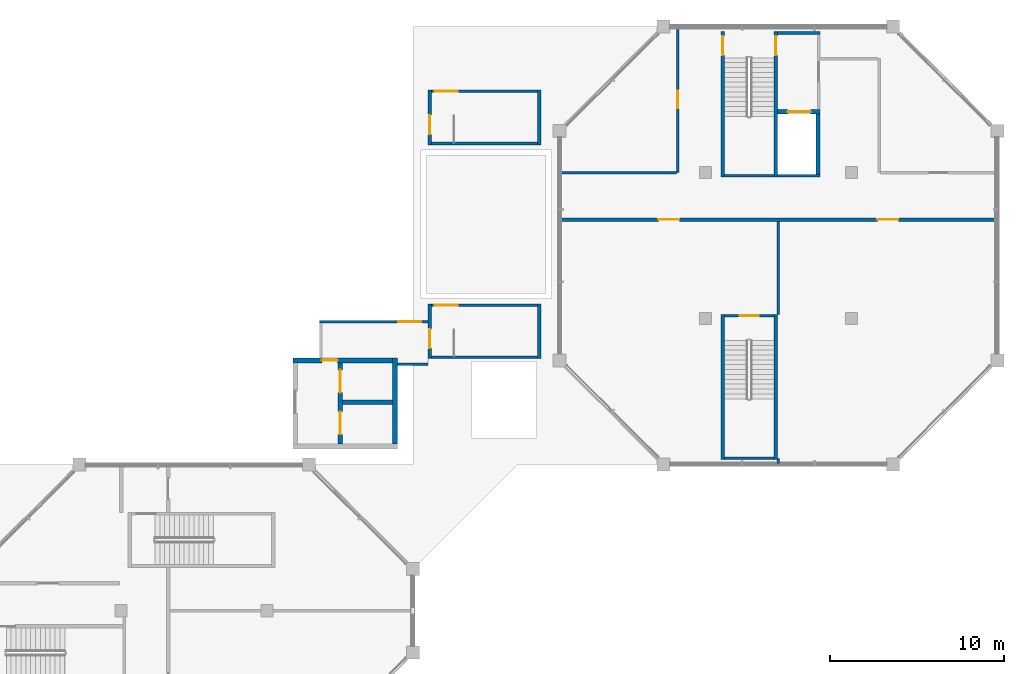
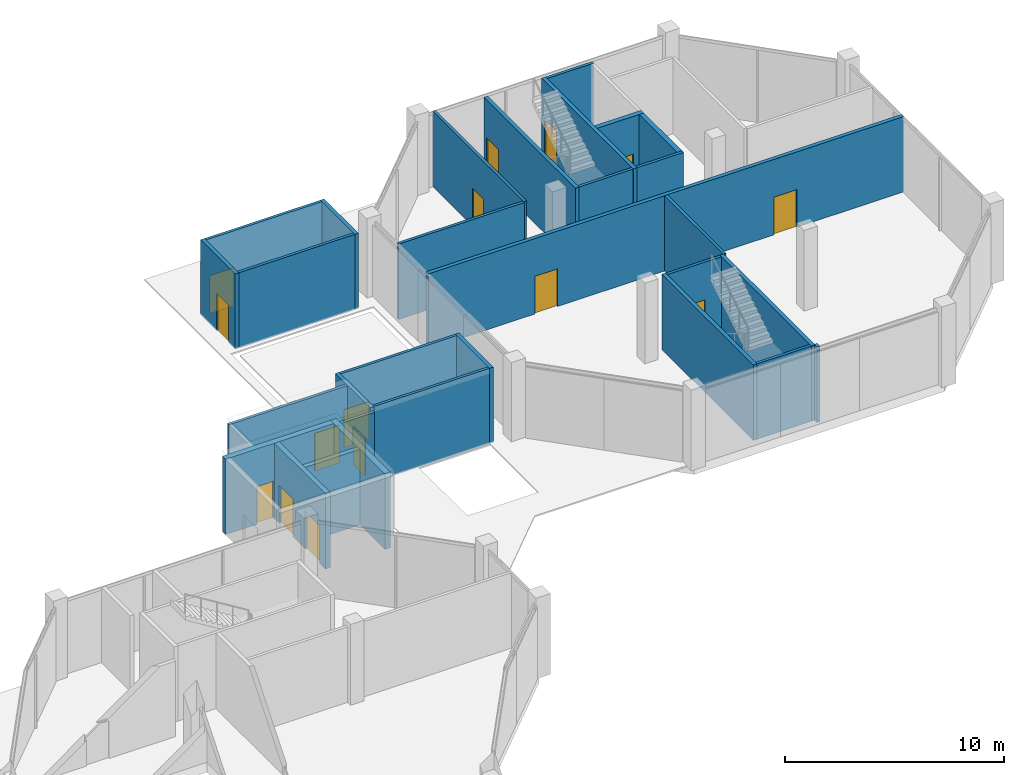
# One storey, part 6 of 10: 30 walls, 15 doors, 15 openings.
"""IFC4 building model written with IfcOpenShell, lengths in metres."""

from ifc_helpers import new_model, si_unit, direction, frame, frame_2d, origin, place, context, subcontext, project, spatial, rectangle, extrude, material, layer, layer_set, type_object, element, fill, save


model = new_model("IFC4")

# Units and contexts
model_context = context("Model", 3, precision=1e-05, world=origin(), true_north=direction((0.0, 1.0)))
body_context = subcontext(model_context, "Body", "Model", "MODEL_VIEW")
ifc_project = project(units=[si_unit("LENGTHUNIT", "METRE"), si_unit("AREAUNIT", "SQUARE_METRE"), si_unit("VOLUMEUNIT", "CUBIC_METRE"), si_unit("PLANEANGLEUNIT", "RADIAN"), si_unit("MASSUNIT", "GRAM", prefix="KILO")], contexts=[model_context])

# Site, building, storey
site_placement = place(None, origin())
site = spatial("IfcSite", under=ifc_project, at=site_placement, CompositionType="ELEMENT")
building_placement = place(site_placement, origin())
building = spatial("IfcBuilding", under=site, at=building_placement, Name="Kawkab Arch Medical Tower", CompositionType="ELEMENT")
storey_placement = place(building_placement, frame((0.0, 0.0, 336.699951171875)))
storey = spatial("IfcBuildingStorey", under=building, at=storey_placement, Name="L78", CompositionType="ELEMENT", Elevation=336.699951171875)

# Wall, opening, door
ifc_material_1 = material(Name="Concrete C60/75", Category="concrete")
ifc_layer_1 = layer(ifc_material_1, 0.25)
ifc_layer_set_1 = layer_set([ifc_layer_1], Name="Concrete C60/75")
wall_type_1 = type_object("IfcWallType", Name="Core shear wall 250 C60/75", PredefinedType="SHEAR", material=ifc_layer_set_1)
wall_1_placement = place(storey_placement, frame((46.14990234375, -4.89990234375, 0.0), z_axis=(0.0, 0.0, 1.0), x_axis=(1.0, 0.0, 0.0)))
wall_1 = element("IfcWall", 1, at=wall_1_placement, inside=storey, type_object=wall_type_1, Name="L78 core shear wall", PredefinedType="SHEAR", context=body_context, shape_type="SweptSolid", body=[
    extrude(rectangle(XDim=2.4501953125, YDim=0.25, at=frame_2d((1.22509765625, 0.0))), origin(), (0.0, 0.0, 1.0), 4.199951171875),
])
opening_1_placement = place(wall_1_placement, frame((0.60009765625, 0.0, 0.0)))
opening_1 = element("IfcOpeningElement", 2, at=opening_1_placement, cuts=wall_1, Name="Opening LD2", PredefinedType="OPENING", context=body_context, shape_type="SweptSolid", body=[
    extrude(rectangle(XDim=1.300048828125, YDim=2.10009765625, at=frame_2d((0.64990234375, 1.050048828125))), frame((0.0, 0.135009765625, 0.0), z_axis=(0.0, -1.0, 0.0), x_axis=(1.0, 0.0, 0.0)), (0.0, 0.0, 1.0), 0.27001953125),
])
ifc_material_2 = material(Name="Stainless steel lift door leaf", Category="steel")
door_type_1 = type_object("IfcDoorType", Name="Lift landing door 1300", OperationType="DOUBLE_DOOR_SLIDING", PredefinedType="DOOR", material=ifc_material_2)
door_1_placement = place(opening_1_placement, origin())
door_1 = element("IfcDoor", 3, at=door_1_placement, inside=storey, type_object=door_type_1, Name="L78 Lift landing door SV1", OperationType="DOUBLE_DOOR_SLIDING", OverallHeight=2.10009765625, OverallWidth=1.300048828125, PredefinedType="DOOR", context=body_context, shape_type="SweptSolid", body=[
    extrude(rectangle(XDim=1.300048828125, YDim=2.10009765625, at=frame_2d((0.64990234375, 1.050048828125))), frame((0.0, 0.02490234375, 0.0), z_axis=(0.0, -1.0, 0.0), x_axis=(1.0, 0.0, 0.0)), (0.0, 0.0, 1.0), 0.050048828125),
])
fill(opening_1, door_1)

# Wall
wall_2_placement = place(storey_placement, frame((48.47509765625, -8.5, 0.0), z_axis=(0.0, 0.0, 1.0), x_axis=(0.0, 1.0, 0.0)))
element("IfcWall", 4, at=wall_2_placement, inside=storey, type_object=wall_type_1, Name="L78 core shear wall", PredefinedType="SHEAR", context=body_context, shape_type="SweptSolid", body=[
    extrude(rectangle(XDim=3.47509765625, YDim=0.25, at=frame_2d((1.737548828125, 0.0))), origin(), (0.0, 0.0, 1.0), 4.199951171875),
])

# Wall, openings, doors
wall_3_placement = place(storey_placement, frame((21.0, -24.0, 0.0), z_axis=(0.0, 0.0, 1.0), x_axis=(0.0, 1.0, 0.0)))
wall_3 = element("IfcWall", 5, at=wall_3_placement, inside=storey, type_object=wall_type_1, Name="L78 core shear wall", PredefinedType="SHEAR", context=body_context, shape_type="SweptSolid", body=[
    extrude(rectangle(XDim=4.64990234375, YDim=0.25, at=frame_2d((2.324951171875, 0.0))), origin(), (0.0, 0.0, 1.0), 4.199951171875),
])
opening_2_placement = place(wall_3_placement, frame((2.949951171875, 0.0, 0.0)))
opening_2 = element("IfcOpeningElement", 6, at=opening_2_placement, cuts=wall_3, Name="Opening LD2", PredefinedType="OPENING", context=body_context, shape_type="SweptSolid", body=[
    extrude(rectangle(XDim=1.300048828125, YDim=2.10009765625, at=frame_2d((0.64990234375, 1.050048828125))), frame((0.0, 0.135009765625, 0.0), z_axis=(0.0, -1.0, 0.0), x_axis=(1.0, 0.0, 0.0)), (0.0, 0.0, 1.0), 0.27001953125),
])
opening_3_placement = place(wall_3_placement, frame((0.550048828125, 0.0, 0.0)))
opening_3 = element("IfcOpeningElement", 7, at=opening_3_placement, cuts=wall_3, Name="Opening LD2", PredefinedType="OPENING", context=body_context, shape_type="SweptSolid", body=[
    extrude(rectangle(XDim=1.300048828125, YDim=2.10009765625, at=frame_2d((0.64990234375, 1.050048828125))), frame((0.0, 0.135009765625, 0.0), z_axis=(0.0, -1.0, 0.0), x_axis=(1.0, 0.0, 0.0)), (0.0, 0.0, 1.0), 0.27001953125),
])
door_2_placement = place(opening_2_placement, origin())
door_2 = element("IfcDoor", 8, at=door_2_placement, inside=storey, type_object=door_type_1, Name="L78 Lift landing door BD1", OperationType="DOUBLE_DOOR_SLIDING", OverallHeight=2.10009765625, OverallWidth=1.300048828125, PredefinedType="DOOR", context=body_context, shape_type="SweptSolid", body=[
    extrude(rectangle(XDim=1.300048828125, YDim=2.10009765625, at=frame_2d((0.64990234375, 1.050048828125))), frame((0.0, 0.02490234375, 0.0), z_axis=(0.0, -1.0, 0.0), x_axis=(1.0, 0.0, 0.0)), (0.0, 0.0, 1.0), 0.050048828125),
])
fill(opening_2, door_2)
door_3_placement = place(opening_3_placement, origin())
door_3 = element("IfcDoor", 9, at=door_3_placement, inside=storey, type_object=door_type_1, Name="L78 Lift landing door BD2", OperationType="DOUBLE_DOOR_SLIDING", OverallHeight=2.10009765625, OverallWidth=1.300048828125, PredefinedType="DOOR", context=body_context, shape_type="SweptSolid", body=[
    extrude(rectangle(XDim=1.300048828125, YDim=2.10009765625, at=frame_2d((0.64990234375, 1.050048828125))), frame((0.0, 0.02490234375, 0.0), z_axis=(0.0, -1.0, 0.0), x_axis=(1.0, 0.0, 0.0)), (0.0, 0.0, 1.0), 0.050048828125),
])
fill(opening_3, door_3)

# Walls
wall_4_placement = place(storey_placement, frame((21.125, -21.60009765625, 0.0), z_axis=(0.0, 0.0, 1.0), x_axis=(1.0, 0.0, 0.0)))
element("IfcWall", 10, at=wall_4_placement, inside=storey, type_object=wall_type_1, Name="L78 core shear wall", PredefinedType="SHEAR", context=body_context, shape_type="SweptSolid", body=[
    extrude(rectangle(XDim=2.875, YDim=0.25, at=frame_2d((1.4375, 0.0))), origin(), (0.0, 0.0, 1.0), 4.199951171875),
])
ifc_material_3 = material(Name="Concrete C60/75", Category="concrete")
ifc_layer_2 = layer(ifc_material_3, 0.300048828125)
ifc_layer_set_2 = layer_set([ifc_layer_2], Name="Concrete C60/75")
wall_type_2 = type_object("IfcWallType", Name="Core shear wall 300 C60/75", PredefinedType="SHEAR", material=ifc_layer_set_2)
wall_5_placement = place(storey_placement, frame((24.14990234375, -24.0, 0.0), z_axis=(0.0, 0.0, 1.0), x_axis=(0.0, 1.0, 0.0)))
element("IfcWall", 11, at=wall_5_placement, inside=storey, type_object=wall_type_2, Name="L78 core shear wall", PredefinedType="SHEAR", context=body_context, shape_type="SweptSolid", body=[
    extrude(rectangle(XDim=4.949951171875, YDim=0.300048828125, at=frame_2d((2.47509765625, 0.0))), origin(), (0.0, 0.0, 1.0), 4.199951171875),
])

# Wall, opening, door
wall_6_placement = place(storey_placement, frame((18.300048828125, -19.199951171875, 0.0), z_axis=(0.0, 0.0, 1.0), x_axis=(1.0, 0.0, 0.0)))
wall_6 = element("IfcWall", 12, at=wall_6_placement, inside=storey, type_object=wall_type_2, Name="L78 core shear wall", PredefinedType="SHEAR", context=body_context, shape_type="SweptSolid", body=[
    extrude(rectangle(XDim=5.699951171875, YDim=0.300048828125, at=frame_2d((2.85009765625, 0.0))), origin(), (0.0, 0.0, 1.0), 4.199951171875),
])
opening_4_placement = place(wall_6_placement, frame((1.64990234375, 0.0, 0.0)))
opening_4 = element("IfcOpeningElement", 13, at=opening_4_placement, cuts=wall_6, Name="Opening RD", PredefinedType="OPENING", context=body_context, shape_type="SweptSolid", body=[
    extrude(rectangle(XDim=0.89990234375, YDim=2.10009765625, at=frame_2d((0.449951171875, 1.050048828125))), frame((0.0, 0.159912109375, 0.0), z_axis=(0.0, -1.0, 0.0), x_axis=(1.0, 0.0, 0.0)), (0.0, 0.0, 1.0), 0.320068359375),
])
ifc_material_4 = material(Name="Hollow metal fire door leaf")
door_type_2 = type_object("IfcDoorType", Name="Core room door 900", OperationType="SINGLE_SWING_LEFT", PredefinedType="DOOR", material=ifc_material_4)
door_4_placement = place(opening_4_placement, origin())
door_4 = element("IfcDoor", 14, at=door_4_placement, inside=storey, type_object=door_type_2, Name="L78 Helideck lobby corridor door", OperationType="SINGLE_SWING_LEFT", OverallHeight=2.10009765625, OverallWidth=0.89990234375, PredefinedType="DOOR", context=body_context, shape_type="SweptSolid", body=[
    extrude(rectangle(XDim=0.89990234375, YDim=2.10009765625, at=frame_2d((0.449951171875, 1.050048828125))), frame((0.0, 0.02490234375, 0.0), z_axis=(0.0, -1.0, 0.0), x_axis=(1.0, 0.0, 0.0)), (0.0, 0.0, 1.0), 0.050048828125),
])
fill(opening_4, door_4)

# Wall
ifc_material_5 = material(Name="Gypsum board partition on steel studs, mineral wool", Category="steel")
ifc_layer_3 = layer(ifc_material_5, 0.14990234375)
ifc_layer_set_3 = layer_set([ifc_layer_3], Name="Gypsum board partition on steel studs, mineral wool")
wall_type_3 = type_object("IfcWallType", Name="Partition 150", PredefinedType="PARTITIONING", material=ifc_layer_set_3)
wall_7_placement = place(storey_placement, frame((33.679931640625, -8.39990234375, 0.0), z_axis=(0.0, 0.0, 1.0), x_axis=(1.0, 0.0, 0.0)))
element("IfcWall", 15, at=wall_7_placement, inside=storey, type_object=wall_type_3, Name="Partition 150 w002", PredefinedType="PARTITIONING", context=body_context, shape_type="SweptSolid", body=[
    extrude(rectangle(XDim=6.652099609375, YDim=0.14990234375, at=frame_2d((3.326171875, 0.0))), origin(), (0.0, 0.0, 1.0), 4.199951171875),
])

# Wall, opening, door
wall_8_placement = place(storey_placement, frame((40.406982421875, -8.39990234375, 0.0), z_axis=(0.0, 0.0, 1.0), x_axis=(0.0, 1.0, 0.0)))
wall_8 = element("IfcWall", 16, at=wall_8_placement, inside=storey, type_object=wall_type_3, Name="Partition 150 w005", PredefinedType="PARTITIONING", context=body_context, shape_type="SweptSolid", body=[
    extrude(rectangle(XDim=8.31982421875, YDim=0.14990234375, at=frame_2d((4.159912109375, 0.0))), origin(), (0.0, 0.0, 1.0), 4.199951171875),
])
opening_5_placement = place(wall_8_placement, frame((3.699951171875, 0.0, 0.0)))
opening_5 = element("IfcOpeningElement", 17, at=opening_5_placement, cuts=wall_8, Name="Opening C78-001", PredefinedType="OPENING", context=body_context, shape_type="SweptSolid", body=[
    extrude(rectangle(XDim=1.0, YDim=2.10009765625, at=frame_2d((0.5, 1.050048828125))), frame((0.0, 0.0849609375, 0.0), z_axis=(0.0, -1.0, 0.0), x_axis=(1.0, 0.0, 0.0)), (0.0, 0.0, 1.0), 0.169921875),
])
ifc_material_6 = material(Name="Hollow metal door leaf")
door_type_3 = type_object("IfcDoorType", Name="Single door 1000x2100 FD30S", OperationType="NOTDEFINED", PredefinedType="DOOR", material=ifc_material_6)
door_5_placement = place(opening_5_placement, origin())
door_5 = element("IfcDoor", 18, at=door_5_placement, inside=storey, type_object=door_type_3, Name="Door C78-001", OperationType="SINGLE_SWING_RIGHT", OverallHeight=2.10009765625, OverallWidth=1.0, PredefinedType="DOOR", context=body_context, shape_type="SweptSolid", body=[
    extrude(rectangle(XDim=1.0, YDim=2.10009765625, at=frame_2d((0.5, 1.050048828125))), frame((0.0, 0.02490234375, 0.0), z_axis=(0.0, -1.0, 0.0), x_axis=(1.0, 0.0, 0.0)), (0.0, 0.0, 1.0), 0.050048828125),
])
fill(opening_5, door_5)

# Walls
wall_9_placement = place(storey_placement, frame((46.199951171875, -25.1201171875, 0.0), z_axis=(0.0, 0.0, 1.0), x_axis=(0.0, 1.0, 0.0)))
element("IfcWall", 19, at=wall_9_placement, inside=storey, type_object=wall_type_3, Name="Partition 150 w006", PredefinedType="PARTITIONING", context=body_context, shape_type="SweptSolid", body=[
    extrude(rectangle(XDim=0.27001953125, YDim=0.14990234375, at=frame_2d((0.135009765625, 0.0))), origin(), (0.0, 0.0, 1.0), 4.199951171875),
])
wall_10_placement = place(storey_placement, frame((46.199951171875, -16.549072265625, 0.0), z_axis=(0.0, 0.0, 1.0), x_axis=(0.0, 1.0, 0.0)))
element("IfcWall", 20, at=wall_10_placement, inside=storey, type_object=wall_type_3, Name="Partition 150 w007", PredefinedType="PARTITIONING", context=body_context, shape_type="SweptSolid", body=[
    extrude(rectangle(XDim=5.34912109375, YDim=0.14990234375, at=frame_2d((2.674560546875, 0.0))), origin(), (0.0, 0.0, 1.0), 4.199951171875),
])

# Wall, openings, doors
ifc_material_7 = material(Name="Fire-rated gypsum board partition on steel studs", Category="steel")
ifc_layer_4 = layer(ifc_material_7, 0.199951171875)
ifc_layer_set_4 = layer_set([ifc_layer_4], Name="Fire-rated gypsum board partition on steel studs")
wall_type_4 = type_object("IfcWallType", Name="Protected partition 200", PredefinedType="PARTITIONING", material=ifc_layer_set_4)
wall_11_placement = place(storey_placement, frame((33.679931640625, -11.10009765625, 0.0), z_axis=(0.0, 0.0, 1.0), x_axis=(1.0, 0.0, 0.0)))
wall_11 = element("IfcWall", 21, at=wall_11_placement, inside=storey, type_object=wall_type_4, Name="Protected partition 200 w010", PredefinedType="PARTITIONING", context=body_context, shape_type="SweptSolid", body=[
    extrude(rectangle(XDim=25.0400390625, YDim=0.199951171875, at=frame_2d((12.52001953125, 0.0))), origin(), (0.0, 0.0, 1.0), 4.199951171875),
])
opening_6_placement = place(wall_11_placement, frame((5.6201171875, 0.0, 0.0)))
opening_6 = element("IfcOpeningElement", 22, at=opening_6_placement, cuts=wall_11, Name="Opening C78-003", PredefinedType="OPENING", context=body_context, shape_type="SweptSolid", body=[
    extrude(rectangle(XDim=1.199951171875, YDim=2.10009765625, at=frame_2d((0.60009765625, 1.050048828125))), frame((0.0, 0.10986328125, 0.0), z_axis=(0.0, -1.0, 0.0), x_axis=(1.0, 0.0, 0.0)), (0.0, 0.0, 1.0), 0.219970703125),
])
opening_7_placement = place(wall_11_placement, frame((18.219970703125, 0.0, 0.0)))
opening_7 = element("IfcOpeningElement", 23, at=opening_7_placement, cuts=wall_11, Name="Opening C78-004", PredefinedType="OPENING", context=body_context, shape_type="SweptSolid", body=[
    extrude(rectangle(XDim=1.199951171875, YDim=2.10009765625, at=frame_2d((0.60009765625, 1.050048828125))), frame((0.0, 0.10986328125, 0.0), z_axis=(0.0, -1.0, 0.0), x_axis=(1.0, 0.0, 0.0)), (0.0, 0.0, 1.0), 0.219970703125),
])
ifc_material_8 = material(Name="Hollow metal door leaf")
door_type_4 = type_object("IfcDoorType", Name="Single door 1200x2100 FD60", OperationType="NOTDEFINED", PredefinedType="DOOR", material=ifc_material_8)
door_6_placement = place(opening_6_placement, origin())
door_6 = element("IfcDoor", 24, at=door_6_placement, inside=storey, type_object=door_type_4, Name="Door C78-003", OperationType="SINGLE_SWING_RIGHT", OverallHeight=2.10009765625, OverallWidth=1.199951171875, PredefinedType="DOOR", context=body_context, shape_type="SweptSolid", body=[
    extrude(rectangle(XDim=1.199951171875, YDim=2.10009765625, at=frame_2d((0.60009765625, 1.050048828125))), frame((0.0, 0.02490234375, 0.0), z_axis=(0.0, -1.0, 0.0), x_axis=(1.0, 0.0, 0.0)), (0.0, 0.0, 1.0), 0.050048828125),
])
fill(opening_6, door_6)
door_7_placement = place(opening_7_placement, origin())
door_7 = element("IfcDoor", 25, at=door_7_placement, inside=storey, type_object=door_type_4, Name="Door C78-004", OperationType="SINGLE_SWING_LEFT", OverallHeight=2.10009765625, OverallWidth=1.199951171875, PredefinedType="DOOR", context=body_context, shape_type="SweptSolid", body=[
    extrude(rectangle(XDim=1.199951171875, YDim=2.10009765625, at=frame_2d((0.60009765625, 1.050048828125))), frame((0.0, 0.02490234375, 0.0), z_axis=(0.0, -1.0, 0.0), x_axis=(1.0, 0.0, 0.0)), (0.0, 0.0, 1.0), 0.050048828125),
])
fill(opening_7, door_7)

# Walls
ifc_material_9 = material(Name="Concrete C50/60", Category="concrete")
ifc_layer_5 = layer(ifc_material_9, 0.14990234375)
ifc_layer_set_5 = layer_set([ifc_layer_5], Name="Concrete C50/60")
wall_type_5 = type_object("IfcWallType", Name="Stair enclosure wall 150 C50/60", PredefinedType="SHEAR", material=ifc_layer_set_5)
wall_12_placement = place(storey_placement, frame((46.14990234375, -0.375, 0.0), z_axis=(0.0, 0.0, 1.0), x_axis=(1.0, 0.0, 0.0)))
element("IfcWall", 26, at=wall_12_placement, inside=storey, type_object=wall_type_5, Name="L78 stair enclosure wall", PredefinedType="SHEAR", context=body_context, shape_type="SweptSolid", body=[
    extrude(rectangle(XDim=2.4501953125, YDim=0.14990234375, at=frame_2d((1.22509765625, 0.0))), origin(), (0.0, 0.0, 1.0), 4.199951171875),
])
wall_13_placement = place(storey_placement, frame((43.10009765625, -8.574951171875, 0.0), z_axis=(0.0, 0.0, 1.0), x_axis=(1.0, 0.0, 0.0)))
element("IfcWall", 27, at=wall_13_placement, inside=storey, type_object=wall_type_5, Name="L78 stair enclosure wall", PredefinedType="SHEAR", context=body_context, shape_type="SweptSolid", body=[
    extrude(rectangle(XDim=2.849853515625, YDim=0.14990234375, at=frame_2d((1.4248046875, 0.0))), origin(), (0.0, 0.0, 1.0), 4.199951171875),
])
wall_14_placement = place(storey_placement, frame((46.14990234375, -8.574951171875, 0.0), z_axis=(0.0, 0.0, 1.0), x_axis=(1.0, 0.0, 0.0)))
element("IfcWall", 28, at=wall_14_placement, inside=storey, type_object=wall_type_5, Name="L78 stair enclosure wall", PredefinedType="SHEAR", context=body_context, shape_type="SweptSolid", body=[
    extrude(rectangle(XDim=2.4501953125, YDim=0.14990234375, at=frame_2d((1.22509765625, 0.0))), origin(), (0.0, 0.0, 1.0), 4.199951171875),
])

# Wall, opening, door
wall_15_placement = place(storey_placement, frame((43.10009765625, -16.625, 0.0), z_axis=(0.0, 0.0, 1.0), x_axis=(1.0, 0.0, 0.0)))
wall_15 = element("IfcWall", 29, at=wall_15_placement, inside=storey, type_object=wall_type_5, Name="L78 stair enclosure wall", PredefinedType="SHEAR", context=body_context, shape_type="SweptSolid", body=[
    extrude(rectangle(XDim=2.849853515625, YDim=0.14990234375, at=frame_2d((1.4248046875, 0.0))), origin(), (0.0, 0.0, 1.0), 4.199951171875),
])
opening_8_placement = place(wall_15_placement, frame((0.875, 0.0, 0.0)))
opening_8 = element("IfcOpeningElement", 30, at=opening_8_placement, cuts=wall_15, Name="Opening SD", PredefinedType="OPENING", context=body_context, shape_type="SweptSolid", body=[
    extrude(rectangle(XDim=1.10009765625, YDim=2.10009765625, at=frame_2d((0.550048828125, 1.050048828125))), frame((0.0, 0.0849609375, 0.0), z_axis=(0.0, -1.0, 0.0), x_axis=(1.0, 0.0, 0.0)), (0.0, 0.0, 1.0), 0.169921875),
])
ifc_material_10 = material(Name="Hollow metal fire door leaf")
door_type_5 = type_object("IfcDoorType", Name="Exit stair door 1100", OperationType="SINGLE_SWING_LEFT", PredefinedType="DOOR", material=ifc_material_10)
door_8_placement = place(opening_8_placement, origin())
door_8 = element("IfcDoor", 31, at=door_8_placement, inside=storey, type_object=door_type_5, Name="L78 Exit stair ST8 door", OperationType="SINGLE_SWING_LEFT", OverallHeight=2.10009765625, OverallWidth=1.10009765625, PredefinedType="DOOR", context=body_context, shape_type="SweptSolid", body=[
    extrude(rectangle(XDim=1.10009765625, YDim=2.10009765625, at=frame_2d((0.550048828125, 1.050048828125))), frame((0.0, 0.02490234375, 0.0), z_axis=(0.0, -1.0, 0.0), x_axis=(1.0, 0.0, 0.0)), (0.0, 0.0, 1.0), 0.050048828125),
])
fill(opening_8, door_8)

# Wall
wall_16_placement = place(storey_placement, frame((43.10009765625, -24.824951171875, 0.0), z_axis=(0.0, 0.0, 1.0), x_axis=(1.0, 0.0, 0.0)))
element("IfcWall", 32, at=wall_16_placement, inside=storey, type_object=wall_type_5, Name="L78 stair enclosure wall", PredefinedType="SHEAR", context=body_context, shape_type="SweptSolid", body=[
    extrude(rectangle(XDim=2.849853515625, YDim=0.14990234375, at=frame_2d((1.4248046875, 0.0))), origin(), (0.0, 0.0, 1.0), 4.199951171875),
])

# Wall, opening, door
wall_17_placement = place(storey_placement, frame((26.25, -16.02490234375, 0.0), z_axis=(0.0, 0.0, 1.0), x_axis=(1.0, 0.0, 0.0)))
wall_17 = element("IfcWall", 33, at=wall_17_placement, inside=storey, type_object=wall_type_5, Name="L78 stair enclosure wall", PredefinedType="SHEAR", context=body_context, shape_type="SweptSolid", body=[
    extrude(rectangle(XDim=6.10009765625, YDim=0.14990234375, at=frame_2d((3.050048828125, 0.0))), origin(), (0.0, 0.0, 1.0), 4.199951171875),
])
opening_9_placement = place(wall_17_placement, frame((0.199951171875, 0.0, 0.0)))
opening_9 = element("IfcOpeningElement", 34, at=opening_9_placement, cuts=wall_17, Name="Opening DD", PredefinedType="OPENING", context=body_context, shape_type="SweptSolid", body=[
    extrude(rectangle(XDim=1.300048828125, YDim=2.10009765625, at=frame_2d((0.64990234375, 1.050048828125))), frame((0.0, 0.0849609375, 0.0), z_axis=(0.0, -1.0, 0.0), x_axis=(1.0, 0.0, 0.0)), (0.0, 0.0, 1.0), 0.169921875),
])
ifc_material_11 = material(Name="Hollow metal fire door leaf")
door_type_6 = type_object("IfcDoorType", Name="Roof access door 1300", OperationType="SINGLE_SWING_LEFT", PredefinedType="DOOR", material=ifc_material_11)
door_9_placement = place(opening_9_placement, origin())
door_9 = element("IfcDoor", 35, at=door_9_placement, inside=storey, type_object=door_type_6, Name="L78 Exit stair DS1 roof access door", OperationType="SINGLE_SWING_LEFT", OverallHeight=2.10009765625, OverallWidth=1.300048828125, PredefinedType="DOOR", context=body_context, shape_type="SweptSolid", body=[
    extrude(rectangle(XDim=1.300048828125, YDim=2.10009765625, at=frame_2d((0.64990234375, 1.050048828125))), frame((0.0, 0.02490234375, 0.0), z_axis=(0.0, -1.0, 0.0), x_axis=(1.0, 0.0, 0.0)), (0.0, 0.0, 1.0), 0.050048828125),
])
fill(opening_9, door_9)

# Wall
wall_18_placement = place(storey_placement, frame((26.25, -19.02490234375, 0.0), z_axis=(0.0, 0.0, 1.0), x_axis=(1.0, 0.0, 0.0)))
element("IfcWall", 36, at=wall_18_placement, inside=storey, type_object=wall_type_5, Name="L78 stair enclosure wall", PredefinedType="SHEAR", context=body_context, shape_type="SweptSolid", body=[
    extrude(rectangle(XDim=6.10009765625, YDim=0.14990234375, at=frame_2d((3.050048828125, 0.0))), origin(), (0.0, 0.0, 1.0), 4.199951171875),
])

# Wall, opening, door
wall_19_placement = place(storey_placement, frame((26.25, -3.72509765625, 0.0), z_axis=(0.0, 0.0, 1.0), x_axis=(1.0, 0.0, 0.0)))
wall_19 = element("IfcWall", 37, at=wall_19_placement, inside=storey, type_object=wall_type_5, Name="L78 stair enclosure wall", PredefinedType="SHEAR", context=body_context, shape_type="SweptSolid", body=[
    extrude(rectangle(XDim=6.10009765625, YDim=0.14990234375, at=frame_2d((3.050048828125, 0.0))), origin(), (0.0, 0.0, 1.0), 4.199951171875),
])
opening_10_placement = place(wall_19_placement, frame((0.199951171875, 0.0, 0.0)))
opening_10 = element("IfcOpeningElement", 38, at=opening_10_placement, cuts=wall_19, Name="Opening DD", PredefinedType="OPENING", context=body_context, shape_type="SweptSolid", body=[
    extrude(rectangle(XDim=1.300048828125, YDim=2.10009765625, at=frame_2d((0.64990234375, 1.050048828125))), frame((0.0, 0.0849609375, 0.0), z_axis=(0.0, -1.0, 0.0), x_axis=(1.0, 0.0, 0.0)), (0.0, 0.0, 1.0), 0.169921875),
])
door_10_placement = place(opening_10_placement, origin())
door_10 = element("IfcDoor", 39, at=door_10_placement, inside=storey, type_object=door_type_6, Name="L78 Exit stair DS2 roof access door", OperationType="SINGLE_SWING_LEFT", OverallHeight=2.10009765625, OverallWidth=1.300048828125, PredefinedType="DOOR", context=body_context, shape_type="SweptSolid", body=[
    extrude(rectangle(XDim=1.300048828125, YDim=2.10009765625, at=frame_2d((0.64990234375, 1.050048828125))), frame((0.0, 0.02490234375, 0.0), z_axis=(0.0, -1.0, 0.0), x_axis=(1.0, 0.0, 0.0)), (0.0, 0.0, 1.0), 0.050048828125),
])
fill(opening_10, door_10)

# Wall
wall_20_placement = place(storey_placement, frame((26.25, -6.72509765625, 0.0), z_axis=(0.0, 0.0, 1.0), x_axis=(1.0, 0.0, 0.0)))
element("IfcWall", 40, at=wall_20_placement, inside=storey, type_object=wall_type_5, Name="L78 stair enclosure wall", PredefinedType="SHEAR", context=body_context, shape_type="SweptSolid", body=[
    extrude(rectangle(XDim=6.10009765625, YDim=0.14990234375, at=frame_2d((3.050048828125, 0.0))), origin(), (0.0, 0.0, 1.0), 4.199951171875),
])

# Wall, opening, door
wall_21_placement = place(storey_placement, frame((19.800048828125, -16.97509765625, 0.0), z_axis=(0.0, 0.0, 1.0), x_axis=(1.0, 0.0, 0.0)))
wall_21 = element("IfcWall", 41, at=wall_21_placement, inside=storey, type_object=wall_type_5, Name="L78 stair enclosure wall", PredefinedType="SHEAR", context=body_context, shape_type="SweptSolid", body=[
    extrude(rectangle(XDim=6.25, YDim=0.14990234375, at=frame_2d((3.125, 0.0))), origin(), (0.0, 0.0, 1.0), 4.199951171875),
])
opening_11_placement = place(wall_21_placement, frame((4.550048828125, 0.0, 0.0)))
opening_11 = element("IfcOpeningElement", 42, at=opening_11_placement, cuts=wall_21, Name="Opening DD", PredefinedType="OPENING", context=body_context, shape_type="SweptSolid", body=[
    extrude(rectangle(XDim=1.300048828125, YDim=2.10009765625, at=frame_2d((0.64990234375, 1.050048828125))), frame((0.0, 0.0849609375, 0.0), z_axis=(0.0, -1.0, 0.0), x_axis=(1.0, 0.0, 0.0)), (0.0, 0.0, 1.0), 0.169921875),
])
door_11_placement = place(opening_11_placement, origin())
door_11 = element("IfcDoor", 43, at=door_11_placement, inside=storey, type_object=door_type_6, Name="L78 Helideck corridor roof access door", OperationType="SINGLE_SWING_LEFT", OverallHeight=2.10009765625, OverallWidth=1.300048828125, PredefinedType="DOOR", context=body_context, shape_type="SweptSolid", body=[
    extrude(rectangle(XDim=1.300048828125, YDim=2.10009765625, at=frame_2d((0.64990234375, 1.050048828125))), frame((0.0, 0.02490234375, 0.0), z_axis=(0.0, -1.0, 0.0), x_axis=(1.0, 0.0, 0.0)), (0.0, 0.0, 1.0), 0.050048828125),
])
fill(opening_11, door_11)

# Wall
wall_22_placement = place(storey_placement, frame((24.300048828125, -19.425048828125, 0.0), z_axis=(0.0, 0.0, 1.0), x_axis=(1.0, 0.0, 0.0)))
element("IfcWall", 44, at=wall_22_placement, inside=storey, type_object=wall_type_5, Name="L78 stair enclosure wall", PredefinedType="SHEAR", context=body_context, shape_type="SweptSolid", body=[
    extrude(rectangle(XDim=1.75, YDim=0.14990234375, at=frame_2d((0.875, 0.0))), origin(), (0.0, 0.0, 1.0), 4.199951171875),
])

# Wall, opening, door
ifc_material_12 = material(Name="Concrete C50/60", Category="concrete")
ifc_layer_6 = layer(ifc_material_12, 0.199951171875)
ifc_layer_set_6 = layer_set([ifc_layer_6], Name="Concrete C50/60")
wall_type_6 = type_object("IfcWallType", Name="Stair enclosure wall 200 C50/60", PredefinedType="SHEAR", material=ifc_layer_set_6)
wall_23_placement = place(storey_placement, frame((43.0, -8.64990234375, 0.0), z_axis=(0.0, 0.0, 1.0), x_axis=(0.0, 1.0, 0.0)))
wall_23 = element("IfcWall", 45, at=wall_23_placement, inside=storey, type_object=wall_type_6, Name="L78 stair enclosure wall", PredefinedType="SHEAR", context=body_context, shape_type="SweptSolid", body=[
    extrude(rectangle(XDim=8.349853515625, YDim=0.199951171875, at=frame_2d((4.1748046875, 0.0))), origin(), (0.0, 0.0, 1.0), 4.199951171875),
])
opening_12_placement = place(wall_23_placement, frame((7.0, 0.0, 0.0)))
opening_12 = element("IfcOpeningElement", 46, at=opening_12_placement, cuts=wall_23, Name="Opening SD", PredefinedType="OPENING", context=body_context, shape_type="SweptSolid", body=[
    extrude(rectangle(XDim=1.10009765625, YDim=2.10009765625, at=frame_2d((0.550048828125, 1.050048828125))), frame((0.0, 0.10986328125, 0.0), z_axis=(0.0, -1.0, 0.0), x_axis=(1.0, 0.0, 0.0)), (0.0, 0.0, 1.0), 0.219970703125),
])
door_12_placement = place(opening_12_placement, frame((1.10009765625, 0.0, 0.0), z_axis=(0.0, 0.0, 1.0), x_axis=(-1.0, 0.0, 0.0)))
door_12 = element("IfcDoor", 47, at=door_12_placement, inside=storey, type_object=door_type_5, Name="L78 Exit stair ST5 door", OperationType="SINGLE_SWING_LEFT", OverallHeight=2.10009765625, OverallWidth=1.10009765625, PredefinedType="DOOR", context=body_context, shape_type="SweptSolid", body=[
    extrude(rectangle(XDim=1.10009765625, YDim=2.10009765625, at=frame_2d((0.550048828125, 1.050048828125))), frame((0.0, 0.02490234375, 0.0), z_axis=(0.0, -1.0, 0.0), x_axis=(1.0, 0.0, 0.0)), (0.0, 0.0, 1.0), 0.050048828125),
])
fill(opening_12, door_12)

wall_24_placement = place(storey_placement, frame((46.050048828125, -8.64990234375, 0.0), z_axis=(0.0, 0.0, 1.0), x_axis=(0.0, 1.0, 0.0)))
wall_24 = element("IfcWall", 48, at=wall_24_placement, inside=storey, type_object=wall_type_6, Name="L78 stair enclosure wall", PredefinedType="SHEAR", context=body_context, shape_type="SweptSolid", body=[
    extrude(rectangle(XDim=8.349853515625, YDim=0.199951171875, at=frame_2d((4.1748046875, 0.0))), origin(), (0.0, 0.0, 1.0), 4.199951171875),
])
opening_13_placement = place(wall_24_placement, frame((7.0, 0.0, 0.0)))
opening_13 = element("IfcOpeningElement", 49, at=opening_13_placement, cuts=wall_24, Name="Opening SD", PredefinedType="OPENING", context=body_context, shape_type="SweptSolid", body=[
    extrude(rectangle(XDim=1.10009765625, YDim=2.10009765625, at=frame_2d((0.550048828125, 1.050048828125))), frame((0.0, 0.10986328125, 0.0), z_axis=(0.0, -1.0, 0.0), x_axis=(1.0, 0.0, 0.0)), (0.0, 0.0, 1.0), 0.219970703125),
])
door_13_placement = place(opening_13_placement, origin())
door_13 = element("IfcDoor", 50, at=door_13_placement, inside=storey, type_object=door_type_5, Name="L78 Exit stair ST5 lobby door", OperationType="SINGLE_SWING_LEFT", OverallHeight=2.10009765625, OverallWidth=1.10009765625, PredefinedType="DOOR", context=body_context, shape_type="SweptSolid", body=[
    extrude(rectangle(XDim=1.10009765625, YDim=2.10009765625, at=frame_2d((0.550048828125, 1.050048828125))), frame((0.0, 0.02490234375, 0.0), z_axis=(0.0, -1.0, 0.0), x_axis=(1.0, 0.0, 0.0)), (0.0, 0.0, 1.0), 0.050048828125),
])
fill(opening_13, door_13)

# Walls
for number, where, z_axis, x_axis, name in (
    (51, (43.0, -24.89990234375, 0.0), (0.0, 0.0, 1.0), (0.0, 1.0, 0.0), "L78 stair enclosure wall"),
    (52, (46.050048828125, -24.89990234375, 0.0), (0.0, 0.0, 1.0), (0.0, 1.0, 0.0), "L78 stair enclosure wall"),
):
    element("IfcWall", number, at=place(storey_placement, frame(where, z_axis=z_axis, x_axis=x_axis)), inside=storey, type_object=wall_type_6, Name=name, PredefinedType="SHEAR", context=body_context, shape_type="SweptSolid", body=[
        extrude(rectangle(XDim=8.349853515625, YDim=0.199951171875, at=frame_2d((4.1748046875, 0.0))), origin(), (0.0, 0.0, 1.0), 4.199951171875),
    ])

# Wall, opening, door
wall_25_placement = place(storey_placement, frame((26.14990234375, -19.10009765625, 0.0), z_axis=(0.0, 0.0, 1.0), x_axis=(0.0, 1.0, 0.0)))
wall_25 = element("IfcWall", 53, at=wall_25_placement, inside=storey, type_object=wall_type_6, Name="L78 stair enclosure wall", PredefinedType="SHEAR", context=body_context, shape_type="SweptSolid", body=[
    extrude(rectangle(XDim=3.150146484375, YDim=0.199951171875, at=frame_2d((1.5751953125, 0.0))), origin(), (0.0, 0.0, 1.0), 4.199951171875),
])
opening_14_placement = place(wall_25_placement, frame((0.60009765625, 0.0, 0.0)))
opening_14 = element("IfcOpeningElement", 54, at=opening_14_placement, cuts=wall_25, Name="Opening SD", PredefinedType="OPENING", context=body_context, shape_type="SweptSolid", body=[
    extrude(rectangle(XDim=1.10009765625, YDim=2.10009765625, at=frame_2d((0.550048828125, 1.050048828125))), frame((0.0, 0.10986328125, 0.0), z_axis=(0.0, -1.0, 0.0), x_axis=(1.0, 0.0, 0.0)), (0.0, 0.0, 1.0), 0.219970703125),
])
door_14_placement = place(opening_14_placement, origin())
door_14 = element("IfcDoor", 55, at=door_14_placement, inside=storey, type_object=door_type_5, Name="L78 Exit stair DS1 door", OperationType="SINGLE_SWING_LEFT", OverallHeight=2.10009765625, OverallWidth=1.10009765625, PredefinedType="DOOR", context=body_context, shape_type="SweptSolid", body=[
    extrude(rectangle(XDim=1.10009765625, YDim=2.10009765625, at=frame_2d((0.550048828125, 1.050048828125))), frame((0.0, 0.02490234375, 0.0), z_axis=(0.0, -1.0, 0.0), x_axis=(1.0, 0.0, 0.0)), (0.0, 0.0, 1.0), 0.050048828125),
])
fill(opening_14, door_14)

# Wall
wall_26_placement = place(storey_placement, frame((32.449951171875, -19.10009765625, 0.0), z_axis=(0.0, 0.0, 1.0), x_axis=(0.0, 1.0, 0.0)))
element("IfcWall", 56, at=wall_26_placement, inside=storey, type_object=wall_type_6, Name="L78 stair enclosure wall", PredefinedType="SHEAR", context=body_context, shape_type="SweptSolid", body=[
    extrude(rectangle(XDim=3.150146484375, YDim=0.199951171875, at=frame_2d((1.5751953125, 0.0))), origin(), (0.0, 0.0, 1.0), 4.199951171875),
])

# Wall, opening, door
wall_27_placement = place(storey_placement, frame((26.14990234375, -6.800048828125, 0.0), z_axis=(0.0, 0.0, 1.0), x_axis=(0.0, 1.0, 0.0)))
wall_27 = element("IfcWall", 57, at=wall_27_placement, inside=storey, type_object=wall_type_6, Name="L78 stair enclosure wall", PredefinedType="SHEAR", context=body_context, shape_type="SweptSolid", body=[
    extrude(rectangle(XDim=3.150146484375, YDim=0.199951171875, at=frame_2d((1.5751953125, 0.0))), origin(), (0.0, 0.0, 1.0), 4.199951171875),
])
opening_15_placement = place(wall_27_placement, frame((0.60009765625, 0.0, 0.0)))
opening_15 = element("IfcOpeningElement", 58, at=opening_15_placement, cuts=wall_27, Name="Opening SD", PredefinedType="OPENING", context=body_context, shape_type="SweptSolid", body=[
    extrude(rectangle(XDim=1.10009765625, YDim=2.10009765625, at=frame_2d((0.550048828125, 1.050048828125))), frame((0.0, 0.10986328125, 0.0), z_axis=(0.0, -1.0, 0.0), x_axis=(1.0, 0.0, 0.0)), (0.0, 0.0, 1.0), 0.219970703125),
])
door_15_placement = place(opening_15_placement, origin())
door_15 = element("IfcDoor", 59, at=door_15_placement, inside=storey, type_object=door_type_5, Name="L78 Exit stair DS2 door", OperationType="SINGLE_SWING_LEFT", OverallHeight=2.10009765625, OverallWidth=1.10009765625, PredefinedType="DOOR", context=body_context, shape_type="SweptSolid", body=[
    extrude(rectangle(XDim=1.10009765625, YDim=2.10009765625, at=frame_2d((0.550048828125, 1.050048828125))), frame((0.0, 0.02490234375, 0.0), z_axis=(0.0, -1.0, 0.0), x_axis=(1.0, 0.0, 0.0)), (0.0, 0.0, 1.0), 0.050048828125),
])
fill(opening_15, door_15)

# Wall
wall_28_placement = place(storey_placement, frame((32.449951171875, -6.800048828125, 0.0), z_axis=(0.0, 0.0, 1.0), x_axis=(0.0, 1.0, 0.0)))
element("IfcWall", 60, at=wall_28_placement, inside=storey, type_object=wall_type_6, Name="L78 stair enclosure wall", PredefinedType="SHEAR", context=body_context, shape_type="SweptSolid", body=[
    extrude(rectangle(XDim=3.150146484375, YDim=0.199951171875, at=frame_2d((1.5751953125, 0.0))), origin(), (0.0, 0.0, 1.0), 4.199951171875),
])

save(model, "model.ifc")
